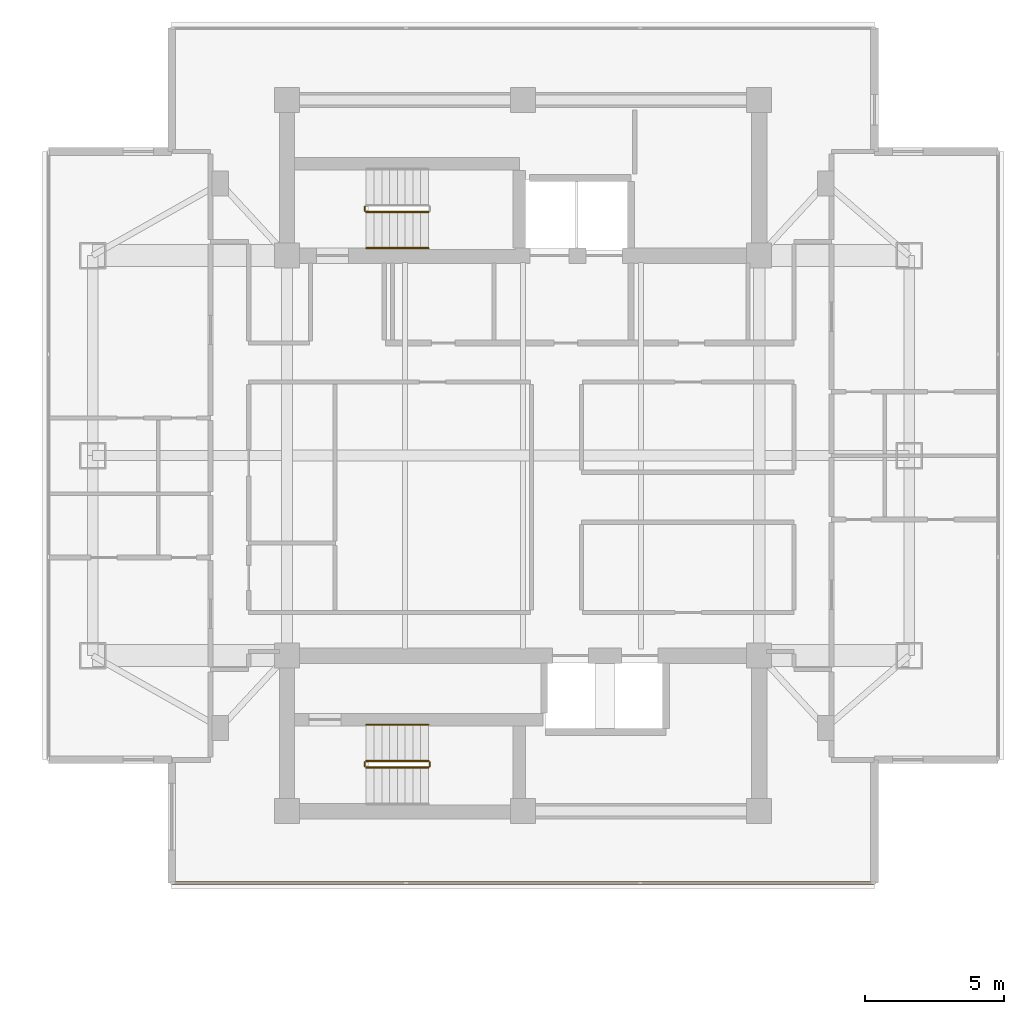
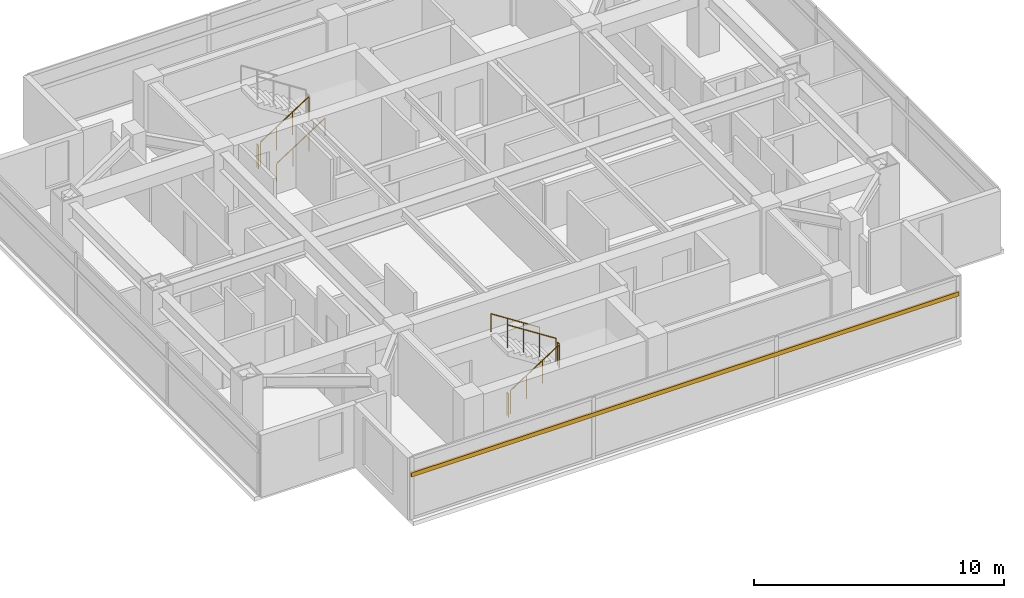
# One storey, part 22 of 24: 8 railings, 1 shading device.
"""IFC4 building model written with IfcOpenShell, lengths in metres."""

from ifc_helpers import new_model, si_unit, direction, frame, origin, origin_2d, place, context, subcontext, project, spatial, rectangle, circle, extrude, material, material_profile, profile_set, type_object, element, save


model = new_model("IFC4")

# Units and contexts
model_context = context("Model", 3, precision=1e-05, world=origin(), true_north=direction((0.0, 1.0)))
body_context = subcontext(model_context, "Body", "Model", "MODEL_VIEW")
ifc_project = project(units=[si_unit("LENGTHUNIT", "METRE"), si_unit("AREAUNIT", "SQUARE_METRE"), si_unit("VOLUMEUNIT", "CUBIC_METRE"), si_unit("PLANEANGLEUNIT", "RADIAN"), si_unit("MASSUNIT", "GRAM", prefix="KILO")], contexts=[model_context])

# Site, building, storey
site_placement = place(None, origin())
site = spatial("IfcSite", under=ifc_project, at=site_placement, CompositionType="ELEMENT")
building_placement = place(site_placement, origin())
building = spatial("IfcBuilding", under=site, at=building_placement, Name="Mirazonda Arch Towers", CompositionType="ELEMENT")
storey_placement = place(building_placement, frame((0.0, 0.0, 193.39990234375)))
storey = spatial("IfcBuildingStorey", under=building, at=storey_placement, Name="L55", CompositionType="ELEMENT", Elevation=193.39990234375)

# Shading device
ifc_material_1 = material(Name="Kiln-Fired Architectural Terracotta", Category="masonry")
ifc_material_profile = material_profile(ifc_material_1, rectangle(XDim=0.10009765625, YDim=0.199951171875, at=origin_2d()), Name="TERRA-BAG-100x200")
ifc_profile_set = profile_set([ifc_material_profile], Name="Kiln-Fired Architectural Terracotta")
shading_device_type = type_object("IfcShadingDeviceType", Name="BAGUETTE-2", PredefinedType="USERDEFINED", material=ifc_profile_set)
shading_device_placement = place(storey_placement, frame((89.15185546875, 12.611572265625, 2.181640625), z_axis=(-1.0, 0.0, 0.0), x_axis=(0.0, -1.0, 0.0)))
element("IfcShadingDevice", 1, at=shading_device_placement, inside=storey, type_object=shading_device_type, Name="L55 Glazed Terracotta Sun-Screen Baguette CW-L55-T2-S", ObjectType="BAGUETTE", PredefinedType="USERDEFINED", context=body_context, shape_type="SweptSolid", body=[
    extrude(rectangle(XDim=0.10009765625, YDim=0.199951171875, at=origin_2d()), origin(), (0.0, 0.0, 1.0), 25.3037109375),
])

# Railings
ifc_material_2 = material(Name="Architectural Brushed Steel S355", Category="steel")
railing_type_1 = type_object("IfcRailingType", Name="GUARD-STAIR-1120", PredefinedType="GUARDRAIL", material=ifc_material_2)
railing_1_placement = place(storey_placement, frame((70.85009765625, 36.77001953125, 0.1806640625)))
element("IfcRailing", 2, at=railing_1_placement, inside=storey, type_object=railing_type_1, Name="L55 ST-T2N stair guard 1", PredefinedType="GUARDRAIL", context=body_context, shape_type="SweptSolid", body=[
    extrude(circle(Radius=0.02392578125, at=origin_2d()), frame((0.0, 0.0, 1.1259765625), z_axis=(0.840436612492, 0.0, 0.541909863706), x_axis=(0.0, 1.0, 0.0)), (0.0, 0.0, 1.0), 2.665283203125),
    extrude(circle(Radius=0.02099609375, at=origin_2d()), origin(), (0.0, 0.0, 1.0), 1.101806640625),
    extrude(circle(Radius=0.02099609375, at=origin_2d()), frame((0.74658203125, 0.0, 0.4814453125)), (0.0, 0.0, 1.0), 1.101806640625),
    extrude(circle(Radius=0.02099609375, at=origin_2d()), frame((1.493408203125, 0.0, 0.962890625)), (0.0, 0.0, 1.0), 1.101806640625),
    extrude(circle(Radius=0.02099609375, at=origin_2d()), frame((2.239990234375, 0.0, 1.4443359375)), (0.0, 0.0, 1.0), 1.101806640625),
])
railing_2_placement = place(storey_placement, frame((70.800048828125, 36.820068359375, 0.0)))
element("IfcRailing", 3, at=railing_2_placement, inside=storey, type_object=railing_type_1, Name="L55 ST-T2N stair guard 4", PredefinedType="GUARDRAIL", context=body_context, shape_type="SweptSolid", body=[
    extrude(circle(Radius=0.02392578125, at=origin_2d()), frame((0.0, 0.0, 1.1259765625), z_axis=(0.0, 1.0, 0.0), x_axis=(-1.0, 0.0, 0.0)), (0.0, 0.0, 1.0), 0.139892578125),
    extrude(circle(Radius=0.02099609375, at=origin_2d()), origin(), (0.0, 0.0, 1.0), 1.101806640625),
    extrude(circle(Radius=0.02099609375, at=origin_2d()), frame((0.0, 0.139892578125, 0.0)), (0.0, 0.0, 1.0), 1.101806640625),
])
railing_3_placement = place(storey_placement, frame((70.85009765625, 16.77001953125, 0.1806640625)))
element("IfcRailing", 4, at=railing_3_placement, inside=storey, type_object=railing_type_1, Name="L55 ST-T2S stair guard 1", PredefinedType="GUARDRAIL", context=body_context, shape_type="SweptSolid", body=[
    extrude(circle(Radius=0.02392578125, at=origin_2d()), frame((0.0, 0.0, 1.1259765625), z_axis=(0.840436612492, 0.0, 0.541909863706), x_axis=(0.0, 1.0, 0.0)), (0.0, 0.0, 1.0), 2.665283203125),
    extrude(circle(Radius=0.02099609375, at=origin_2d()), origin(), (0.0, 0.0, 1.0), 1.101806640625),
    extrude(circle(Radius=0.02099609375, at=origin_2d()), frame((0.74658203125, 0.0, 0.4814453125)), (0.0, 0.0, 1.0), 1.101806640625),
    extrude(circle(Radius=0.02099609375, at=origin_2d()), frame((1.493408203125, 0.0, 0.962890625)), (0.0, 0.0, 1.0), 1.101806640625),
    extrude(circle(Radius=0.02099609375, at=origin_2d()), frame((2.239990234375, 0.0, 1.4443359375)), (0.0, 0.0, 1.0), 1.101806640625),
])
railing_4_placement = place(storey_placement, frame((73.139892578125, 16.820068359375, 1.625)))
element("IfcRailing", 5, at=railing_4_placement, inside=storey, type_object=railing_type_1, Name="L55 ST-T2S stair guard 2", PredefinedType="GUARDRAIL", context=body_context, shape_type="SweptSolid", body=[
    extrude(circle(Radius=0.02392578125, at=origin_2d()), frame((0.0, 0.0, 1.1259765625), z_axis=(0.0, 1.0, 0.0), x_axis=(-1.0, 0.0, 0.0)), (0.0, 0.0, 1.0), 0.139892578125),
    extrude(circle(Radius=0.02099609375, at=origin_2d()), origin(), (0.0, 0.0, 1.0), 1.101806640625),
    extrude(circle(Radius=0.02099609375, at=origin_2d()), frame((0.0, 0.139892578125, 0.0)), (0.0, 0.0, 1.0), 1.101806640625),
])
railing_5_placement = place(storey_placement, frame((73.090087890625, 17.010009765625, 1.8056640625)))
element("IfcRailing", 6, at=railing_5_placement, inside=storey, type_object=railing_type_1, Name="L55 ST-T2S stair guard 3", PredefinedType="GUARDRAIL", context=body_context, shape_type="SweptSolid", body=[
    extrude(circle(Radius=0.02392578125, at=origin_2d()), frame((0.0, 0.0, 1.1259765625), z_axis=(-0.840436612492, 0.0, 0.541909863706), x_axis=(0.0, -1.0, 0.0)), (0.0, 0.0, 1.0), 2.665283203125),
    extrude(circle(Radius=0.02099609375, at=origin_2d()), origin(), (0.0, 0.0, 1.0), 1.101806640625),
    extrude(circle(Radius=0.02099609375, at=origin_2d()), frame((-0.74658203125, 0.0, 0.4814453125)), (0.0, 0.0, 1.0), 1.101806640625),
    extrude(circle(Radius=0.02099609375, at=origin_2d()), frame((-1.493408203125, 0.0, 0.962890625)), (0.0, 0.0, 1.0), 1.101806640625),
    extrude(circle(Radius=0.02099609375, at=origin_2d()), frame((-2.239990234375, 0.0, 1.4443359375)), (0.0, 0.0, 1.0), 1.101806640625),
])
railing_6_placement = place(storey_placement, frame((70.800048828125, 16.820068359375, 0.0)))
element("IfcRailing", 7, at=railing_6_placement, inside=storey, type_object=railing_type_1, Name="L55 ST-T2S stair guard 4", PredefinedType="GUARDRAIL", context=body_context, shape_type="SweptSolid", body=[
    extrude(circle(Radius=0.02392578125, at=origin_2d()), frame((0.0, 0.0, 1.1259765625), z_axis=(0.0, 1.0, 0.0), x_axis=(-1.0, 0.0, 0.0)), (0.0, 0.0, 1.0), 0.139892578125),
    extrude(circle(Radius=0.02099609375, at=origin_2d()), origin(), (0.0, 0.0, 1.0), 1.101806640625),
    extrude(circle(Radius=0.02099609375, at=origin_2d()), frame((0.0, 0.139892578125, 0.0)), (0.0, 0.0, 1.0), 1.101806640625),
])
railing_type_2 = type_object("IfcRailingType", Name="HANDRAIL-915", PredefinedType="HANDRAIL", material=ifc_material_2)
railing_7_placement = place(storey_placement, frame((70.85009765625, 35.469970703125, 0.1806640625)))
element("IfcRailing", 8, at=railing_7_placement, inside=storey, type_object=railing_type_2, Name="L55 ST-T2N stair handrail 1", PredefinedType="HANDRAIL", context=body_context, shape_type="SweptSolid", body=[
    extrude(circle(Radius=0.02392578125, at=origin_2d()), frame((0.0, 0.0, 0.8759765625), z_axis=(0.840436612492, 0.0, 0.541909863706), x_axis=(0.0, 1.0, 0.0)), (0.0, 0.0, 1.0), 2.665283203125),
    extrude(circle(Radius=0.02099609375, at=origin_2d()), origin(), (0.0, 0.0, 1.0), 0.851806640625),
    extrude(circle(Radius=0.02099609375, at=origin_2d()), frame((0.74658203125, 0.0, 0.4814453125)), (0.0, 0.0, 1.0), 0.851806640625),
    extrude(circle(Radius=0.02099609375, at=origin_2d()), frame((1.493408203125, 0.0, 0.962890625)), (0.0, 0.0, 1.0), 0.851806640625),
    extrude(circle(Radius=0.02099609375, at=origin_2d()), frame((2.239990234375, 0.0, 1.4443359375)), (0.0, 0.0, 1.0), 0.851806640625),
])
railing_8_placement = place(storey_placement, frame((73.090087890625, 18.31005859375, 1.8056640625)))
element("IfcRailing", 9, at=railing_8_placement, inside=storey, type_object=railing_type_2, Name="L55 ST-T2S stair handrail 2", PredefinedType="HANDRAIL", context=body_context, shape_type="SweptSolid", body=[
    extrude(circle(Radius=0.02392578125, at=origin_2d()), frame((0.0, 0.0, 0.8759765625), z_axis=(-0.840436612492, 0.0, 0.541909863706), x_axis=(0.0, -1.0, 0.0)), (0.0, 0.0, 1.0), 2.665283203125),
    extrude(circle(Radius=0.02099609375, at=origin_2d()), origin(), (0.0, 0.0, 1.0), 0.851806640625),
    extrude(circle(Radius=0.02099609375, at=origin_2d()), frame((-0.74658203125, 0.0, 0.4814453125)), (0.0, 0.0, 1.0), 0.851806640625),
    extrude(circle(Radius=0.02099609375, at=origin_2d()), frame((-1.493408203125, 0.0, 0.962890625)), (0.0, 0.0, 1.0), 0.851806640625),
    extrude(circle(Radius=0.02099609375, at=origin_2d()), frame((-2.239990234375, 0.0, 1.4443359375)), (0.0, 0.0, 1.0), 0.851806640625),
])

save(model, "model.ifc")
